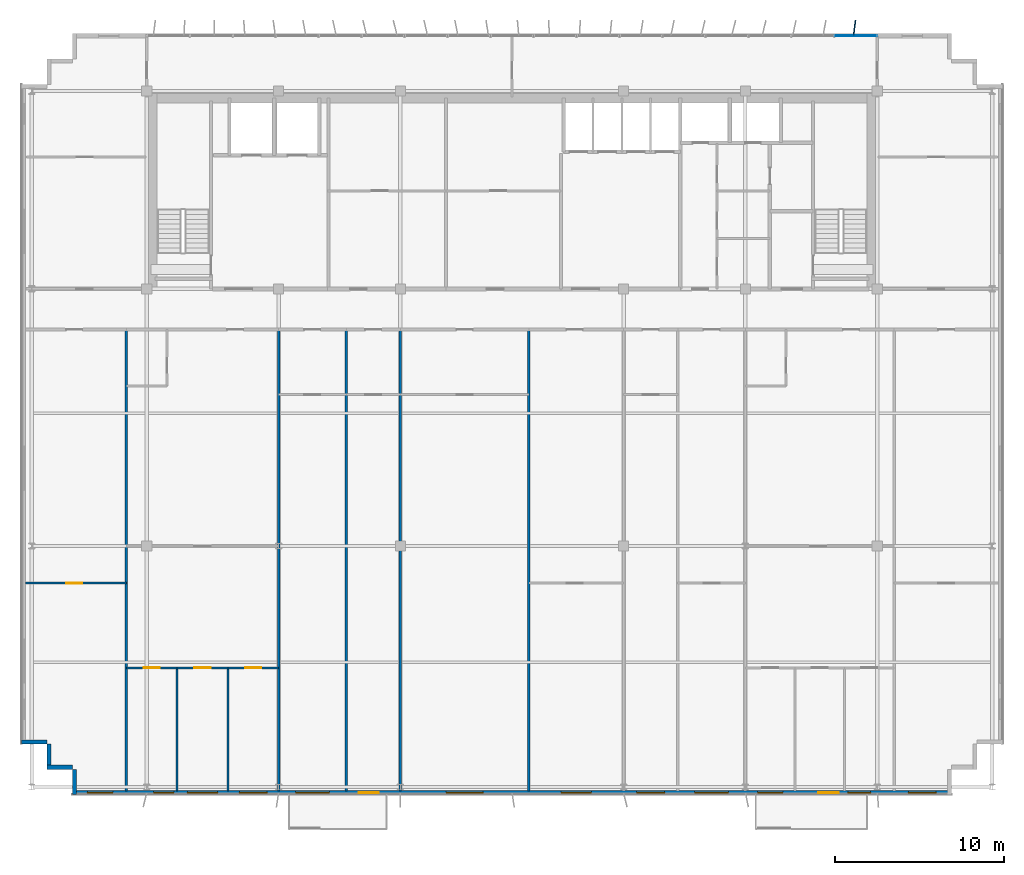
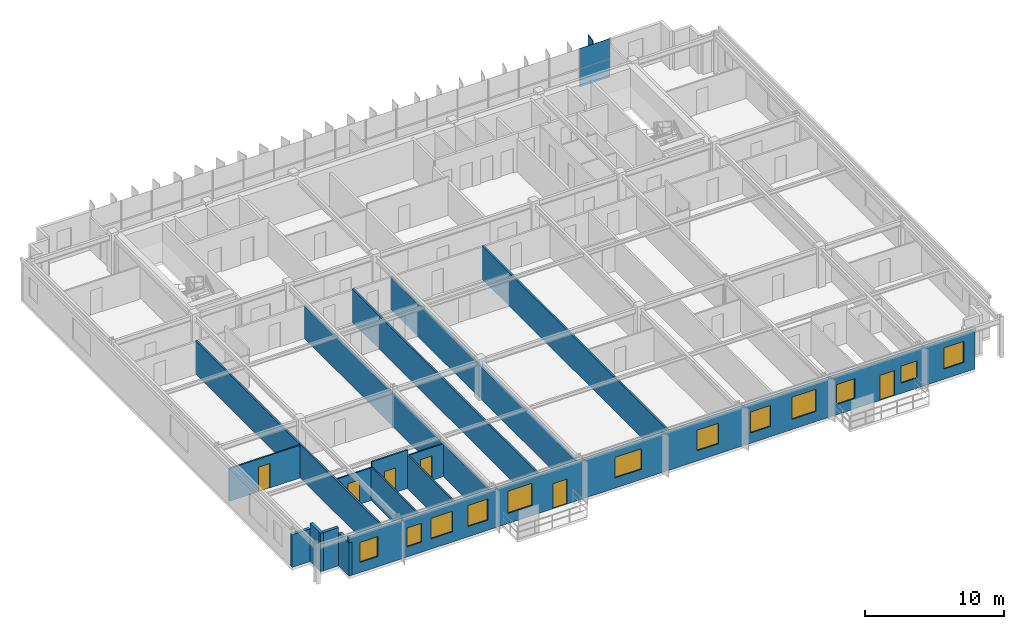
# One storey, part 16 of 22: 16 walls, 12 windows, 6 doors, 3 plates, 18 openings, 1 element without a shape of its own.
"""IFC4 building model written with IfcOpenShell, lengths in metres."""

from ifc_helpers import new_model, si_unit, direction, frame, frame_2d, origin, origin_2d, place, context, subcontext, project, spatial, rectangle, extrude, source, transform, mapped, material, layer, layer_set, type_object, element, fill, aggregate, save


model = new_model("IFC4")

# Units and contexts
model_context = context("Model", 3, precision=1e-05, world=origin(), true_north=direction((0.0, 1.0)))
body_context = subcontext(model_context, "Body", "Model", "MODEL_VIEW")
ifc_project = project(units=[si_unit("LENGTHUNIT", "METRE"), si_unit("AREAUNIT", "SQUARE_METRE"), si_unit("VOLUMEUNIT", "CUBIC_METRE"), si_unit("PLANEANGLEUNIT", "RADIAN"), si_unit("MASSUNIT", "GRAM", prefix="KILO")], contexts=[model_context])

# Site, building, storey
site_placement = place(None, origin())
site = spatial("IfcSite", under=ifc_project, at=site_placement, CompositionType="ELEMENT")
building_placement = place(site_placement, origin())
building = spatial("IfcBuilding", under=site, at=building_placement, Name="Trelvane Seafront Commons", CompositionType="ELEMENT")
storey_placement = place(building_placement, frame((0.0, 0.0, 284.699951171875)))
storey = spatial("IfcBuildingStorey", under=building, at=storey_placement, Name="L74", CompositionType="ELEMENT", Elevation=284.699951171875)

# Plate
ifc_material_1 = material(Name="Anodised pale-silver aluminium", Category="aluminium")
ifc_layer_1 = layer(ifc_material_1, 0.06005859375, Name="ARCH-PLATE-FIN900")
ifc_layer_set_1 = layer_set([ifc_layer_1], Name="Anodised pale-silver aluminium")
plate_type_1 = type_object("IfcPlateType", Name="ARCH-PLATE-FIN900", PredefinedType="USERDEFINED", material=ifc_layer_set_1)
shared_shape_1 = source(origin(), body_context, "Body", "SweptSolid", [
    extrude(rectangle(XDim=0.89990234375, YDim=0.06005859375, at=origin_2d()), origin(), (0.0, 0.0, 1.0), 3.639892578125),
])
plate_1_placement = place(storey_placement, frame((57.455078125, 48.8466796875, -0.02001953125), z_axis=(0.0, 0.0, 1.0), x_axis=(0.122777027905, 0.992434280655, 0.0)))
element("IfcPlate", 1, at=plate_1_placement, inside=storey, type_object=plate_type_1, Name="FIN-L74-02089", ObjectType="FIN", PredefinedType="USERDEFINED", context=body_context, shape_type="MappedRepresentation", body=[
    mapped(shared_shape_1, transform((0.0, 0.0, 0.0), x_axis=(1.0, 0.0, 0.0), y_axis=(0.0, 1.0, 0.0), z_axis=(0.0, 0.0, 1.0), scale=1.0)),
])

# Curtain wall, plates
curtain_wall_type = type_object("IfcCurtainWallType", Name="ARCH-CW5-UPTOWER", PredefinedType="NOTDEFINED", material=ifc_material_1)
curtain_wall_placement = place(storey_placement, origin())
curtain_wall = element("IfcCurtainWall", 2, at=curtain_wall_placement, inside=storey, type_object=curtain_wall_type, Name="CW-L74-0118", PredefinedType="NOTDEFINED")
ifc_material_2 = material(Name="Low-E coastal double glazing", Category="glass")
ifc_layer_2 = layer(ifc_material_2, 0.033935546875, Name="ARCH-CW-GLAZ-34")
ifc_layer_set_2 = layer_set([ifc_layer_2], Name="Low-E coastal double glazing")
plate_type_2 = type_object("IfcPlateType", Name="ARCH-CW-GLAZ-34", PredefinedType="CURTAIN_PANEL", material=ifc_layer_set_2)
shared_shape_2 = source(origin(), body_context, "Body", "SweptSolid", [
    extrude(rectangle(XDim=2.51708984375, YDim=0.033935546875, at=origin_2d()), origin(), (0.0, 0.0, 1.0), 1.60009765625),
])
plate_2_placement = place(storey_placement, frame((57.529296875, 48.3701171875, 0.0), z_axis=(0.0, 0.0, 1.0), x_axis=(1.0, 0.0, 0.0)))
plate_2 = element("IfcPlate", 3, at=plate_2_placement, type_object=plate_type_2, Name="CW-L74-0118-P16-1", PredefinedType="CURTAIN_PANEL", context=body_context, shape_type="MappedRepresentation", body=[
    mapped(shared_shape_2, transform((0.0, 0.0, 0.0), x_axis=(1.0, 0.0, 0.0), y_axis=(0.0, 1.0, 0.0), z_axis=(0.0, 0.0, 1.0), scale=1.0)),
])
shared_shape_3 = source(origin(), body_context, "Body", "SweptSolid", [
    extrude(rectangle(XDim=2.51708984375, YDim=0.033935546875, at=origin_2d()), origin(), (0.0, 0.0, 1.0), 1.73388671875),
])
plate_3_placement = place(storey_placement, frame((57.529296875, 48.3701171875, 1.635986328125), z_axis=(0.0, 0.0, 1.0), x_axis=(1.0, 0.0, 0.0)))
plate_3 = element("IfcPlate", 4, at=plate_3_placement, type_object=plate_type_2, Name="CW-L74-0118-P16-2", PredefinedType="CURTAIN_PANEL", context=body_context, shape_type="MappedRepresentation", body=[
    mapped(shared_shape_3, transform((0.0, 0.0, 0.0), x_axis=(1.0, 0.0, 0.0), y_axis=(0.0, 1.0, 0.0), z_axis=(0.0, 0.0, 1.0), scale=1.0)),
])
aggregate(curtain_wall, [plate_2, plate_3])

# Walls
ifc_material_3 = material(Name="Precast concrete C40/50", Category="concrete")
ifc_layer_3 = layer(ifc_material_3, 0.239990234375, Name="ARCH-WALL-EXT240")
ifc_layer_set_3 = layer_set([ifc_layer_3], Name="Precast concrete C40/50")
wall_type_1 = type_object("IfcWallType", Name="ARCH-WALL-EXT240", PredefinedType="SOLIDWALL", material=ifc_layer_set_3)
for number, where, z_axis, x_axis, name in (
    (5, (11.199951171875, 5.1201171875, 0.0), (0.0, 0.0, 1.0), (-1.0, 0.0, 0.0), "EW-L74-01489"),
    (6, (9.820068359375, 5.0, 0.0), (0.0, 0.0, 1.0), (0.0, 1.0, 0.0), "EW-L74-01490"),
):
    element("IfcWall", number, at=place(storey_placement, frame(where, z_axis=z_axis, x_axis=x_axis)), inside=storey, type_object=wall_type_1, Name=name, PredefinedType="SOLIDWALL", context=body_context, shape_type="SweptSolid", body=[
        extrude(rectangle(XDim=1.5, YDim=0.239990234375, at=frame_2d((0.75, 0.0))), origin(), (0.0, 0.0, 1.0), 3.3701171875),
    ])
wall_1_placement = place(storey_placement, frame((9.699951171875, 6.6201171875, 0.0), z_axis=(0.0, 0.0, 1.0), x_axis=(-1.0, 0.0, 0.0)))
element("IfcWall", 7, at=wall_1_placement, inside=storey, type_object=wall_type_1, Name="EW-L74-01491", PredefinedType="SOLIDWALL", context=body_context, shape_type="SweptSolid", body=[
    extrude(rectangle(XDim=1.5, YDim=0.239990234375, at=frame_2d((0.75, 0.0))), origin(), (0.0, 0.0, 1.0), 2.8701171875),
])

# Wall, openings, windows, doors
wall_2_placement = place(storey_placement, frame((63.199951171875, 3.6201171875, 0.0), z_axis=(0.0, 0.0, 1.0), x_axis=(-1.0, 0.0, 0.0)))
wall_2 = element("IfcWall", 8, at=wall_2_placement, inside=storey, type_object=wall_type_1, Name="EW-L74-01506", PredefinedType="SOLIDWALL", context=body_context, shape_type="SweptSolid", body=[
    extrude(rectangle(XDim=52.0, YDim=0.239990234375, at=frame_2d((26.0, 0.0))), origin(), (0.0, 0.0, 1.0), 3.3701171875),
])
opening_1_placement = place(wall_2_placement, frame((0.919921875, 0.0, 0.89990234375)))
opening_1 = element("IfcOpeningElement", 9, at=opening_1_placement, cuts=wall_2, Name="Opening W07", PredefinedType="OPENING", context=body_context, shape_type="SweptSolid", body=[
    extrude(rectangle(XDim=1.64990234375, YDim=1.85009765625, at=frame_2d((0.824951171875, 0.925048828125))), frame((0.0, 0.1298828125, 0.0), z_axis=(0.0, -1.0, 0.0), x_axis=(1.0, 0.0, 0.0)), (0.0, 0.0, 1.0), 0.260009765625),
])
opening_2_placement = place(wall_2_placement, frame((4.79296875, 0.0, 0.89990234375)))
opening_2 = element("IfcOpeningElement", 10, at=opening_2_placement, cuts=wall_2, Name="Opening W09", PredefinedType="OPENING", context=body_context, shape_type="SweptSolid", body=[
    extrude(rectangle(XDim=1.35009765625, YDim=1.5, at=frame_2d((0.675048828125, 0.75))), frame((0.0, 0.1298828125, 0.0), z_axis=(0.0, -1.0, 0.0), x_axis=(1.0, 0.0, 0.0)), (0.0, 0.0, 1.0), 0.260009765625),
])
opening_3_placement = place(wall_2_placement, frame((6.68505859375, 0.0, 0.0)))
opening_3 = element("IfcOpeningElement", 11, at=opening_3_placement, cuts=wall_2, Name="Opening BD-L74-150", PredefinedType="OPENING", context=body_context, shape_type="SweptSolid", body=[
    extrude(rectangle(XDim=1.199951171875, YDim=2.199951171875, at=frame_2d((0.60009765625, 1.10009765625))), frame((0.0, 0.1298828125, 0.0), z_axis=(0.0, -1.0, 0.0), x_axis=(1.0, 0.0, 0.0)), (0.0, 0.0, 1.0), 0.260009765625),
])
opening_4_placement = place(wall_2_placement, frame((9.98291015625, 0.0, 0.89990234375)))
opening_4 = element("IfcOpeningElement", 12, at=opening_4_placement, cuts=wall_2, Name="Opening W03", PredefinedType="OPENING", context=body_context, shape_type="SweptSolid", body=[
    extrude(rectangle(XDim=1.5, YDim=1.75, at=frame_2d((0.75, 0.875))), frame((0.0, 0.1298828125, 0.0), z_axis=(0.0, -1.0, 0.0), x_axis=(1.0, 0.0, 0.0)), (0.0, 0.0, 1.0), 0.260009765625),
])
opening_5_placement = place(wall_2_placement, frame((13.199951171875, 0.0, 0.89990234375)))
opening_5 = element("IfcOpeningElement", 13, at=opening_5_placement, cuts=wall_2, Name="Opening W06", PredefinedType="OPENING", context=body_context, shape_type="SweptSolid", body=[
    extrude(rectangle(XDim=2.0, YDim=1.949951171875, at=frame_2d((1.0, 0.97509765625))), frame((0.0, 0.1298828125, 0.0), z_axis=(0.0, -1.0, 0.0), x_axis=(1.0, 0.0, 0.0)), (0.0, 0.0, 1.0), 0.260009765625),
])
opening_6_placement = place(wall_2_placement, frame((16.97509765625, 0.0, 0.89990234375)))
opening_6 = element("IfcOpeningElement", 14, at=opening_6_placement, cuts=wall_2, Name="Opening W07", PredefinedType="OPENING", context=body_context, shape_type="SweptSolid", body=[
    extrude(rectangle(XDim=1.64990234375, YDim=1.85009765625, at=frame_2d((0.824951171875, 0.925048828125))), frame((0.0, 0.1298828125, 0.0), z_axis=(0.0, -1.0, 0.0), x_axis=(1.0, 0.0, 0.0)), (0.0, 0.0, 1.0), 0.260009765625),
])
opening_7_placement = place(wall_2_placement, frame((21.300048828125, 0.0, 0.89990234375)))
opening_7 = element("IfcOpeningElement", 15, at=opening_7_placement, cuts=wall_2, Name="Opening W01", PredefinedType="OPENING", context=body_context, shape_type="SweptSolid", body=[
    extrude(rectangle(XDim=1.800048828125, YDim=1.800048828125, at=frame_2d((0.89990234375, 0.89990234375))), frame((0.0, 0.1298828125, 0.0), z_axis=(0.0, -1.0, 0.0), x_axis=(1.0, 0.0, 0.0)), (0.0, 0.0, 1.0), 0.260009765625),
])
opening_8_placement = place(wall_2_placement, frame((27.699951171875, 0.0, 0.89990234375)))
opening_8 = element("IfcOpeningElement", 16, at=opening_8_placement, cuts=wall_2, Name="Opening W02", PredefinedType="OPENING", context=body_context, shape_type="SweptSolid", body=[
    extrude(rectangle(XDim=2.199951171875, YDim=1.800048828125, at=frame_2d((1.10009765625, 0.89990234375))), frame((0.0, 0.1298828125, 0.0), z_axis=(0.0, -1.0, 0.0), x_axis=(1.0, 0.0, 0.0)), (0.0, 0.0, 1.0), 0.260009765625),
])
opening_9_placement = place(wall_2_placement, frame((33.873046875, 0.0, 0.0)))
opening_9 = element("IfcOpeningElement", 17, at=opening_9_placement, cuts=wall_2, Name="Opening BD-L74-151", PredefinedType="OPENING", context=body_context, shape_type="SweptSolid", body=[
    extrude(rectangle(XDim=1.199951171875, YDim=2.199951171875, at=frame_2d((0.60009765625, 1.10009765625))), frame((0.0, 0.1298828125, 0.0), z_axis=(0.0, -1.0, 0.0), x_axis=(1.0, 0.0, 0.0)), (0.0, 0.0, 1.0), 0.260009765625),
])
opening_10_placement = place(wall_2_placement, frame((36.800048828125, 0.0, 0.89990234375)))
opening_10 = element("IfcOpeningElement", 18, at=opening_10_placement, cuts=wall_2, Name="Opening W06", PredefinedType="OPENING", context=body_context, shape_type="SweptSolid", body=[
    extrude(rectangle(XDim=2.0, YDim=1.949951171875, at=frame_2d((1.0, 0.97509765625))), frame((0.0, 0.1298828125, 0.0), z_axis=(0.0, -1.0, 0.0), x_axis=(1.0, 0.0, 0.0)), (0.0, 0.0, 1.0), 0.260009765625),
])
opening_11_placement = place(wall_2_placement, frame((40.47509765625, 0.0, 0.89990234375)))
opening_11 = element("IfcOpeningElement", 19, at=opening_11_placement, cuts=wall_2, Name="Opening W07", PredefinedType="OPENING", context=body_context, shape_type="SweptSolid", body=[
    extrude(rectangle(XDim=1.64990234375, YDim=1.85009765625, at=frame_2d((0.824951171875, 0.925048828125))), frame((0.0, 0.1298828125, 0.0), z_axis=(0.0, -1.0, 0.0), x_axis=(1.0, 0.0, 0.0)), (0.0, 0.0, 1.0), 0.260009765625),
])
opening_12_placement = place(wall_2_placement, frame((43.39990234375, 0.0, 0.89990234375)))
opening_12 = element("IfcOpeningElement", 20, at=opening_12_placement, cuts=wall_2, Name="Opening W01", PredefinedType="OPENING", context=body_context, shape_type="SweptSolid", body=[
    extrude(rectangle(XDim=1.800048828125, YDim=1.800048828125, at=frame_2d((0.89990234375, 0.89990234375))), frame((0.0, 0.1298828125, 0.0), z_axis=(0.0, -1.0, 0.0), x_axis=(1.0, 0.0, 0.0)), (0.0, 0.0, 1.0), 0.260009765625),
])
opening_13_placement = place(wall_2_placement, frame((45.989990234375, 0.0, 0.89990234375)))
opening_13 = element("IfcOpeningElement", 21, at=opening_13_placement, cuts=wall_2, Name="Opening W05", PredefinedType="OPENING", context=body_context, shape_type="SweptSolid", body=[
    extrude(rectangle(XDim=1.199951171875, YDim=1.64990234375, at=frame_2d((0.60009765625, 0.824951171875))), frame((0.0, 0.1298828125, 0.0), z_axis=(0.0, -1.0, 0.0), x_axis=(1.0, 0.0, 0.0)), (0.0, 0.0, 1.0), 0.260009765625),
])
opening_14_placement = place(wall_2_placement, frame((49.60498046875, 0.0, 0.89990234375)))
opening_14 = element("IfcOpeningElement", 22, at=opening_14_placement, cuts=wall_2, Name="Opening W03", PredefinedType="OPENING", context=body_context, shape_type="SweptSolid", body=[
    extrude(rectangle(XDim=1.5, YDim=1.75, at=frame_2d((0.75, 0.875))), frame((0.0, 0.1298828125, 0.0), z_axis=(0.0, -1.0, 0.0), x_axis=(1.0, 0.0, 0.0)), (0.0, 0.0, 1.0), 0.260009765625),
])
window_type_1 = type_object("IfcWindowType", Name="ARCH-WIN-W09", PartitioningType="SINGLE_PANEL", PredefinedType="WINDOW", material=ifc_material_2)
shared_shape_4 = source(origin(), body_context, "Body", "SweptSolid", [
    extrude(rectangle(XDim=1.35009765625, YDim=1.5, at=frame_2d((0.675048828125, 0.75))), frame((0.0, 0.030029296875, 0.0), z_axis=(0.0, -1.0, 0.0), x_axis=(1.0, 0.0, 0.0)), (0.0, 0.0, 1.0), 0.06005859375),
])
window_1_placement = place(opening_2_placement, origin())
window_1 = element("IfcWindow", 23, at=window_1_placement, inside=storey, type_object=window_type_1, Name="WIN-L74-01784", OverallHeight=1.5, OverallWidth=1.35009765625, PartitioningType="SINGLE_PANEL", PredefinedType="WINDOW", context=body_context, shape_type="MappedRepresentation", body=[
    mapped(shared_shape_4, transform((0.0, 0.0, 0.0), x_axis=(1.0, 0.0, 0.0), y_axis=(0.0, 1.0, 0.0), z_axis=(0.0, 0.0, 1.0), scale=1.0)),
])
fill(opening_2, window_1)
window_type_2 = type_object("IfcWindowType", Name="ARCH-WIN-W05", PartitioningType="SINGLE_PANEL", PredefinedType="WINDOW", material=ifc_material_2)
shared_shape_5 = source(origin(), body_context, "Body", "SweptSolid", [
    extrude(rectangle(XDim=1.199951171875, YDim=1.64990234375, at=frame_2d((0.60009765625, 0.824951171875))), frame((0.0, 0.030029296875, 0.0), z_axis=(0.0, -1.0, 0.0), x_axis=(1.0, 0.0, 0.0)), (0.0, 0.0, 1.0), 0.06005859375),
])
window_2_placement = place(opening_13_placement, origin())
window_2 = element("IfcWindow", 24, at=window_2_placement, inside=storey, type_object=window_type_2, Name="WIN-L74-01793", OverallHeight=1.64990234375, OverallWidth=1.199951171875, PartitioningType="SINGLE_PANEL", PredefinedType="WINDOW", context=body_context, shape_type="MappedRepresentation", body=[
    mapped(shared_shape_5, transform((0.0, 0.0, 0.0), x_axis=(1.0, 0.0, 0.0), y_axis=(0.0, 1.0, 0.0), z_axis=(0.0, 0.0, 1.0), scale=1.0)),
])
fill(opening_13, window_2)
ifc_material_4 = material(Name="Powder-coated aluminium frame", Category="aluminium")
door_type_1 = type_object("IfcDoorType", Name="ARCH-DR-BAL1200", OperationType="NOTDEFINED", PredefinedType="DOOR", material=ifc_material_4)
shared_shape_6 = source(origin(), body_context, "Body", "SweptSolid", [
    extrude(rectangle(XDim=1.199951171875, YDim=2.199951171875, at=frame_2d((0.60009765625, 1.10009765625))), frame((0.0, 0.02490234375, 0.0), z_axis=(0.0, -1.0, 0.0), x_axis=(1.0, 0.0, 0.0)), (0.0, 0.0, 1.0), 0.050048828125),
])
door_1_placement = place(opening_3_placement, origin())
door_1 = element("IfcDoor", 25, at=door_1_placement, inside=storey, type_object=door_type_1, Name="L74 Balcony Terrace Access Door", OperationType="SINGLE_SWING_LEFT", OverallHeight=2.199951171875, OverallWidth=1.199951171875, PredefinedType="DOOR", context=body_context, shape_type="MappedRepresentation", body=[
    mapped(shared_shape_6, transform((0.0, 0.0, 0.0), x_axis=(1.0, 0.0, 0.0), y_axis=(0.0, 1.0, 0.0), z_axis=(0.0, 0.0, 1.0), scale=1.0)),
])
fill(opening_3, door_1)
door_2_placement = place(opening_9_placement, origin())
door_2 = element("IfcDoor", 26, at=door_2_placement, inside=storey, type_object=door_type_1, Name="L74 Balcony Terrace Access Door", OperationType="SINGLE_SWING_LEFT", OverallHeight=2.199951171875, OverallWidth=1.199951171875, PredefinedType="DOOR", context=body_context, shape_type="MappedRepresentation", body=[
    mapped(shared_shape_6, transform((0.0, 0.0, 0.0), x_axis=(1.0, 0.0, 0.0), y_axis=(0.0, 1.0, 0.0), z_axis=(0.0, 0.0, 1.0), scale=1.0)),
])
fill(opening_9, door_2)
window_type_3 = type_object("IfcWindowType", Name="ARCH-WIN-W02", PartitioningType="SINGLE_PANEL", PredefinedType="WINDOW", material=ifc_material_2)
shared_shape_7 = source(origin(), body_context, "Body", "SweptSolid", [
    extrude(rectangle(XDim=2.199951171875, YDim=1.800048828125, at=frame_2d((1.10009765625, 0.89990234375))), frame((0.0, 0.030029296875, 0.0), z_axis=(0.0, -1.0, 0.0), x_axis=(1.0, 0.0, 0.0)), (0.0, 0.0, 1.0), 0.06005859375),
])
window_3_placement = place(opening_8_placement, origin())
window_3 = element("IfcWindow", 27, at=window_3_placement, inside=storey, type_object=window_type_3, Name="WIN-L74-01789", OverallHeight=1.800048828125, OverallWidth=2.199951171875, PartitioningType="SINGLE_PANEL", PredefinedType="WINDOW", context=body_context, shape_type="MappedRepresentation", body=[
    mapped(shared_shape_7, transform((0.0, 0.0, 0.0), x_axis=(1.0, 0.0, 0.0), y_axis=(0.0, 1.0, 0.0), z_axis=(0.0, 0.0, 1.0), scale=1.0)),
])
fill(opening_8, window_3)
window_type_4 = type_object("IfcWindowType", Name="ARCH-WIN-W03", PartitioningType="SINGLE_PANEL", PredefinedType="WINDOW", material=ifc_material_2)
shared_shape_8 = source(origin(), body_context, "Body", "SweptSolid", [
    extrude(rectangle(XDim=1.5, YDim=1.75, at=frame_2d((0.75, 0.875))), frame((0.0, 0.030029296875, 0.0), z_axis=(0.0, -1.0, 0.0), x_axis=(1.0, 0.0, 0.0)), (0.0, 0.0, 1.0), 0.06005859375),
])
window_4_placement = place(opening_4_placement, origin())
window_4 = element("IfcWindow", 28, at=window_4_placement, inside=storey, type_object=window_type_4, Name="WIN-L74-01785", OverallHeight=1.75, OverallWidth=1.5, PartitioningType="SINGLE_PANEL", PredefinedType="WINDOW", context=body_context, shape_type="MappedRepresentation", body=[
    mapped(shared_shape_8, transform((0.0, 0.0, 0.0), x_axis=(1.0, 0.0, 0.0), y_axis=(0.0, 1.0, 0.0), z_axis=(0.0, 0.0, 1.0), scale=1.0)),
])
fill(opening_4, window_4)
window_5_placement = place(opening_14_placement, origin())
window_5 = element("IfcWindow", 29, at=window_5_placement, inside=storey, type_object=window_type_4, Name="WIN-L74-01794", OverallHeight=1.75, OverallWidth=1.5, PartitioningType="SINGLE_PANEL", PredefinedType="WINDOW", context=body_context, shape_type="MappedRepresentation", body=[
    mapped(shared_shape_8, transform((0.0, 0.0, 0.0), x_axis=(1.0, 0.0, 0.0), y_axis=(0.0, 1.0, 0.0), z_axis=(0.0, 0.0, 1.0), scale=1.0)),
])
fill(opening_14, window_5)
window_type_5 = type_object("IfcWindowType", Name="ARCH-WIN-W06", PartitioningType="SINGLE_PANEL", PredefinedType="WINDOW", material=ifc_material_2)
shared_shape_9 = source(origin(), body_context, "Body", "SweptSolid", [
    extrude(rectangle(XDim=2.0, YDim=1.949951171875, at=frame_2d((1.0, 0.97509765625))), frame((0.0, 0.030029296875, 0.0), z_axis=(0.0, -1.0, 0.0), x_axis=(1.0, 0.0, 0.0)), (0.0, 0.0, 1.0), 0.06005859375),
])
window_6_placement = place(opening_5_placement, origin())
window_6 = element("IfcWindow", 30, at=window_6_placement, inside=storey, type_object=window_type_5, Name="WIN-L74-01786", OverallHeight=1.949951171875, OverallWidth=2.0, PartitioningType="SINGLE_PANEL", PredefinedType="WINDOW", context=body_context, shape_type="MappedRepresentation", body=[
    mapped(shared_shape_9, transform((0.0, 0.0, 0.0), x_axis=(1.0, 0.0, 0.0), y_axis=(0.0, 1.0, 0.0), z_axis=(0.0, 0.0, 1.0), scale=1.0)),
])
fill(opening_5, window_6)
window_7_placement = place(opening_10_placement, origin())
window_7 = element("IfcWindow", 31, at=window_7_placement, inside=storey, type_object=window_type_5, Name="WIN-L74-01790", OverallHeight=1.949951171875, OverallWidth=2.0, PartitioningType="SINGLE_PANEL", PredefinedType="WINDOW", context=body_context, shape_type="MappedRepresentation", body=[
    mapped(shared_shape_9, transform((0.0, 0.0, 0.0), x_axis=(1.0, 0.0, 0.0), y_axis=(0.0, 1.0, 0.0), z_axis=(0.0, 0.0, 1.0), scale=1.0)),
])
fill(opening_10, window_7)
window_type_6 = type_object("IfcWindowType", Name="ARCH-WIN-W01", PartitioningType="SINGLE_PANEL", PredefinedType="WINDOW", material=ifc_material_2)
shared_shape_10 = source(origin(), body_context, "Body", "SweptSolid", [
    extrude(rectangle(XDim=1.800048828125, YDim=1.800048828125, at=frame_2d((0.89990234375, 0.89990234375))), frame((0.0, 0.030029296875, 0.0), z_axis=(0.0, -1.0, 0.0), x_axis=(1.0, 0.0, 0.0)), (0.0, 0.0, 1.0), 0.06005859375),
])
window_8_placement = place(opening_7_placement, origin())
window_8 = element("IfcWindow", 32, at=window_8_placement, inside=storey, type_object=window_type_6, Name="WIN-L74-01788", OverallHeight=1.800048828125, OverallWidth=1.800048828125, PartitioningType="SINGLE_PANEL", PredefinedType="WINDOW", context=body_context, shape_type="MappedRepresentation", body=[
    mapped(shared_shape_10, transform((0.0, 0.0, 0.0), x_axis=(1.0, 0.0, 0.0), y_axis=(0.0, 1.0, 0.0), z_axis=(0.0, 0.0, 1.0), scale=1.0)),
])
fill(opening_7, window_8)
window_9_placement = place(opening_12_placement, origin())
window_9 = element("IfcWindow", 33, at=window_9_placement, inside=storey, type_object=window_type_6, Name="WIN-L74-01792", OverallHeight=1.800048828125, OverallWidth=1.800048828125, PartitioningType="SINGLE_PANEL", PredefinedType="WINDOW", context=body_context, shape_type="MappedRepresentation", body=[
    mapped(shared_shape_10, transform((0.0, 0.0, 0.0), x_axis=(1.0, 0.0, 0.0), y_axis=(0.0, 1.0, 0.0), z_axis=(0.0, 0.0, 1.0), scale=1.0)),
])
fill(opening_12, window_9)
window_type_7 = type_object("IfcWindowType", Name="ARCH-WIN-W07", PartitioningType="SINGLE_PANEL", PredefinedType="WINDOW", material=ifc_material_2)
shared_shape_11 = source(origin(), body_context, "Body", "SweptSolid", [
    extrude(rectangle(XDim=1.64990234375, YDim=1.85009765625, at=frame_2d((0.824951171875, 0.925048828125))), frame((0.0, 0.030029296875, 0.0), z_axis=(0.0, -1.0, 0.0), x_axis=(1.0, 0.0, 0.0)), (0.0, 0.0, 1.0), 0.06005859375),
])
window_10_placement = place(opening_1_placement, origin())
window_10 = element("IfcWindow", 34, at=window_10_placement, inside=storey, type_object=window_type_7, Name="WIN-L74-01783", OverallHeight=1.85009765625, OverallWidth=1.64990234375, PartitioningType="SINGLE_PANEL", PredefinedType="WINDOW", context=body_context, shape_type="MappedRepresentation", body=[
    mapped(shared_shape_11, transform((0.0, 0.0, 0.0), x_axis=(1.0, 0.0, 0.0), y_axis=(0.0, 1.0, 0.0), z_axis=(0.0, 0.0, 1.0), scale=1.0)),
])
fill(opening_1, window_10)
window_11_placement = place(opening_6_placement, origin())
window_11 = element("IfcWindow", 35, at=window_11_placement, inside=storey, type_object=window_type_7, Name="WIN-L74-01787", OverallHeight=1.85009765625, OverallWidth=1.64990234375, PartitioningType="SINGLE_PANEL", PredefinedType="WINDOW", context=body_context, shape_type="MappedRepresentation", body=[
    mapped(shared_shape_11, transform((0.0, 0.0, 0.0), x_axis=(1.0, 0.0, 0.0), y_axis=(0.0, 1.0, 0.0), z_axis=(0.0, 0.0, 1.0), scale=1.0)),
])
fill(opening_6, window_11)
window_12_placement = place(opening_11_placement, origin())
window_12 = element("IfcWindow", 36, at=window_12_placement, inside=storey, type_object=window_type_7, Name="WIN-L74-01791", OverallHeight=1.85009765625, OverallWidth=1.64990234375, PartitioningType="SINGLE_PANEL", PredefinedType="WINDOW", context=body_context, shape_type="MappedRepresentation", body=[
    mapped(shared_shape_11, transform((0.0, 0.0, 0.0), x_axis=(1.0, 0.0, 0.0), y_axis=(0.0, 1.0, 0.0), z_axis=(0.0, 0.0, 1.0), scale=1.0)),
])
fill(opening_11, window_12)

# Wall
wall_3_placement = place(storey_placement, frame((11.320068359375, 3.5, 0.0), z_axis=(0.0, 0.0, 1.0), x_axis=(0.0, 1.0, 0.0)))
element("IfcWall", 37, at=wall_3_placement, inside=storey, type_object=wall_type_1, Name="EW-L74-01507", PredefinedType="SOLIDWALL", context=body_context, shape_type="SweptSolid", body=[
    extrude(rectangle(XDim=1.5, YDim=0.239990234375, at=frame_2d((0.75, 0.0))), origin(), (0.0, 0.0, 1.0), 2.920166015625),
])

# Wall, opening, door
ifc_material_5 = material(Name="Gypsum Drywall Acoustic Partition")
ifc_layer_4 = layer(ifc_material_5, 0.1201171875, Name="ARCH-WALL-PART120")
ifc_layer_set_4 = layer_set([ifc_layer_4], Name="Gypsum Drywall Acoustic Partition")
wall_type_2 = type_object("IfcWallType", Name="ARCH-WALL-PART120", PredefinedType="PARTITIONING", material=ifc_layer_set_4)
wall_4_placement = place(storey_placement, frame((8.425048828125, 16.0, 0.0), z_axis=(0.0, 0.0, 1.0), x_axis=(1.0, 0.0, 0.0)))
wall_4 = element("IfcWall", 38, at=wall_4_placement, inside=storey, type_object=wall_type_2, Name="W-L74-U1-DIV-053", PredefinedType="PARTITIONING", context=body_context, shape_type="SweptSolid", body=[
    extrude(rectangle(XDim=5.974853515625, YDim=0.1201171875, at=frame_2d((2.9873046875, 0.0))), origin(), (0.0, 0.0, 1.0), 2.8701171875),
])
opening_15_placement = place(wall_4_placement, frame((2.419921875, 0.0, 0.0)))
opening_15 = element("IfcOpeningElement", 39, at=opening_15_placement, cuts=wall_4, Name="Opening D-L74-31", PredefinedType="OPENING", context=body_context, shape_type="SweptSolid", body=[
    extrude(rectangle(XDim=0.949951171875, YDim=2.14990234375, at=frame_2d((0.47509765625, 1.074951171875))), frame((0.0, 0.070068359375, 0.0), z_axis=(0.0, -1.0, 0.0), x_axis=(1.0, 0.0, 0.0)), (0.0, 0.0, 1.0), 0.14013671875),
])
ifc_material_6 = material(Name="Acoustic timber door leaf", Category="wood")
door_type_2 = type_object("IfcDoorType", Name="ARCH-DR-INT950", OperationType="NOTDEFINED", PredefinedType="DOOR", material=ifc_material_6)
shared_shape_12 = source(origin(), body_context, "Body", "SweptSolid", [
    extrude(rectangle(XDim=0.949951171875, YDim=2.14990234375, at=frame_2d((0.47509765625, 1.074951171875))), frame((0.0, 0.02490234375, 0.0), z_axis=(0.0, -1.0, 0.0), x_axis=(1.0, 0.0, 0.0)), (0.0, 0.0, 1.0), 0.050048828125),
])
door_3_placement = place(opening_15_placement, origin())
door_3 = element("IfcDoor", 40, at=door_3_placement, inside=storey, type_object=door_type_2, Name="L74 Door 31", OperationType="SINGLE_SWING_LEFT", OverallHeight=2.14990234375, OverallWidth=0.949951171875, PredefinedType="DOOR", context=body_context, shape_type="MappedRepresentation", body=[
    mapped(shared_shape_12, transform((0.0, 0.0, 0.0), x_axis=(1.0, 0.0, 0.0), y_axis=(0.0, 1.0, 0.0), z_axis=(0.0, 0.0, 1.0), scale=1.0)),
])
fill(opening_15, door_3)

wall_5_placement = place(storey_placement, frame((14.39990234375, 11.0, 0.0), z_axis=(0.0, 0.0, 1.0), x_axis=(1.0, 0.0, 0.0)))
wall_5 = element("IfcWall", 41, at=wall_5_placement, inside=storey, type_object=wall_type_2, Name="W-L74-U2-YM-1-058", PredefinedType="PARTITIONING", context=body_context, shape_type="SweptSolid", body=[
    extrude(rectangle(XDim=3.0, YDim=0.1201171875, at=frame_2d((1.5, 0.0))), origin(), (0.0, 0.0, 1.0), 2.8701171875),
])
opening_16_placement = place(wall_5_placement, frame((1.02490234375, 0.0, 0.0)))
opening_16 = element("IfcOpeningElement", 42, at=opening_16_placement, cuts=wall_5, Name="Opening D-L74-35", PredefinedType="OPENING", context=body_context, shape_type="SweptSolid", body=[
    extrude(rectangle(XDim=0.949951171875, YDim=2.14990234375, at=frame_2d((0.47509765625, 1.074951171875))), frame((0.0, 0.070068359375, 0.0), z_axis=(0.0, -1.0, 0.0), x_axis=(1.0, 0.0, 0.0)), (0.0, 0.0, 1.0), 0.14013671875),
])
door_4_placement = place(opening_16_placement, origin())
door_4 = element("IfcDoor", 43, at=door_4_placement, inside=storey, type_object=door_type_2, Name="L74 Door 35", OperationType="SINGLE_SWING_LEFT", OverallHeight=2.14990234375, OverallWidth=0.949951171875, PredefinedType="DOOR", context=body_context, shape_type="MappedRepresentation", body=[
    mapped(shared_shape_12, transform((0.0, 0.0, 0.0), x_axis=(1.0, 0.0, 0.0), y_axis=(0.0, 1.0, 0.0), z_axis=(0.0, 0.0, 1.0), scale=1.0)),
])
fill(opening_16, door_4)

wall_6_placement = place(storey_placement, frame((17.39990234375, 11.0, 0.0), z_axis=(0.0, 0.0, 1.0), x_axis=(1.0, 0.0, 0.0)))
wall_6 = element("IfcWall", 44, at=wall_6_placement, inside=storey, type_object=wall_type_2, Name="W-L74-U2-YM-2-059", PredefinedType="PARTITIONING", context=body_context, shape_type="SweptSolid", body=[
    extrude(rectangle(XDim=3.0, YDim=0.1201171875, at=frame_2d((1.5, 0.0))), origin(), (0.0, 0.0, 1.0), 3.3701171875),
])
opening_17_placement = place(wall_6_placement, frame((1.02490234375, 0.0, 0.0)))
opening_17 = element("IfcOpeningElement", 45, at=opening_17_placement, cuts=wall_6, Name="Opening D-L74-36", PredefinedType="OPENING", context=body_context, shape_type="SweptSolid", body=[
    extrude(rectangle(XDim=0.949951171875, YDim=2.14990234375, at=frame_2d((0.47509765625, 1.074951171875))), frame((0.0, 0.070068359375, 0.0), z_axis=(0.0, -1.0, 0.0), x_axis=(1.0, 0.0, 0.0)), (0.0, 0.0, 1.0), 0.14013671875),
])
door_5_placement = place(opening_17_placement, origin())
door_5 = element("IfcDoor", 46, at=door_5_placement, inside=storey, type_object=door_type_2, Name="L74 Door 36", OperationType="SINGLE_SWING_RIGHT", OverallHeight=2.14990234375, OverallWidth=0.949951171875, PredefinedType="DOOR", context=body_context, shape_type="MappedRepresentation", body=[
    mapped(shared_shape_12, transform((0.0, 0.0, 0.0), x_axis=(1.0, 0.0, 0.0), y_axis=(0.0, 1.0, 0.0), z_axis=(0.0, 0.0, 1.0), scale=1.0)),
])
fill(opening_17, door_5)

# Wall
wall_7_placement = place(storey_placement, frame((17.39990234375, 3.72509765625, 0.0), z_axis=(0.0, 0.0, 1.0), x_axis=(0.0, 1.0, 0.0)))
element("IfcWall", 47, at=wall_7_placement, inside=storey, type_object=wall_type_2, Name="W-L74-U2-BDV-1-060", PredefinedType="PARTITIONING", context=body_context, shape_type="SweptSolid", body=[
    extrude(rectangle(XDim=7.27490234375, YDim=0.1201171875, at=frame_2d((3.637451171875, 0.0))), origin(), (0.0, 0.0, 1.0), 2.920166015625),
])

# Wall, opening, door
wall_8_placement = place(storey_placement, frame((20.39990234375, 11.0, 0.0), z_axis=(0.0, 0.0, 1.0), x_axis=(1.0, 0.0, 0.0)))
wall_8 = element("IfcWall", 48, at=wall_8_placement, inside=storey, type_object=wall_type_2, Name="W-L74-U2-YM-3-061", PredefinedType="PARTITIONING", context=body_context, shape_type="SweptSolid", body=[
    extrude(rectangle(XDim=3.0, YDim=0.1201171875, at=frame_2d((1.5, 0.0))), origin(), (0.0, 0.0, 1.0), 2.8701171875),
])
opening_18_placement = place(wall_8_placement, frame((1.02490234375, 0.0, 0.0)))
opening_18 = element("IfcOpeningElement", 49, at=opening_18_placement, cuts=wall_8, Name="Opening D-L74-37", PredefinedType="OPENING", context=body_context, shape_type="SweptSolid", body=[
    extrude(rectangle(XDim=0.949951171875, YDim=2.14990234375, at=frame_2d((0.47509765625, 1.074951171875))), frame((0.0, 0.070068359375, 0.0), z_axis=(0.0, -1.0, 0.0), x_axis=(1.0, 0.0, 0.0)), (0.0, 0.0, 1.0), 0.14013671875),
])
door_6_placement = place(opening_18_placement, origin())
door_6 = element("IfcDoor", 50, at=door_6_placement, inside=storey, type_object=door_type_2, Name="L74 Door 37", OperationType="SINGLE_SWING_LEFT", OverallHeight=2.14990234375, OverallWidth=0.949951171875, PredefinedType="DOOR", context=body_context, shape_type="MappedRepresentation", body=[
    mapped(shared_shape_12, transform((0.0, 0.0, 0.0), x_axis=(1.0, 0.0, 0.0), y_axis=(0.0, 1.0, 0.0), z_axis=(0.0, 0.0, 1.0), scale=1.0)),
])
fill(opening_18, door_6)

# Walls
wall_9_placement = place(storey_placement, frame((20.39990234375, 3.72509765625, 0.0), z_axis=(0.0, 0.0, 1.0), x_axis=(0.0, 1.0, 0.0)))
element("IfcWall", 51, at=wall_9_placement, inside=storey, type_object=wall_type_2, Name="W-L74-U2-BDV-2-062", PredefinedType="PARTITIONING", context=body_context, shape_type="SweptSolid", body=[
    extrude(rectangle(XDim=7.27490234375, YDim=0.1201171875, at=frame_2d((3.637451171875, 0.0))), origin(), (0.0, 0.0, 1.0), 2.920166015625),
])
ifc_layer_5 = layer(ifc_material_5, 0.14990234375, Name="ARCH-WALL-PART150")
ifc_layer_set_5 = layer_set([ifc_layer_5], Name="Gypsum Drywall Acoustic Partition")
wall_type_3 = type_object("IfcWallType", Name="ARCH-WALL-PART150", PredefinedType="PARTITIONING", material=ifc_layer_set_5)
wall_10_placement = place(storey_placement, frame((14.39990234375, 3.72509765625, 0.0), z_axis=(0.0, 0.0, 1.0), x_axis=(0.0, 1.0, 0.0)))
element("IfcWall", 52, at=wall_10_placement, inside=storey, type_object=wall_type_3, Name="W-L74-PW-1-043", PredefinedType="PARTITIONING", context=body_context, shape_type="SweptSolid", body=[
    extrude(rectangle(XDim=27.27490234375, YDim=0.14990234375, at=frame_2d((13.637451171875, 0.0))), origin(), (0.0, 0.0, 1.0), 2.920166015625),
])
wall_11_placement = place(storey_placement, frame((23.39990234375, 3.72509765625, 0.0), z_axis=(0.0, 0.0, 1.0), x_axis=(0.0, 1.0, 0.0)))
element("IfcWall", 53, at=wall_11_placement, inside=storey, type_object=wall_type_3, Name="W-L74-PW-2-044", PredefinedType="PARTITIONING", context=body_context, shape_type="SweptSolid", body=[
    extrude(rectangle(XDim=27.27490234375, YDim=0.14990234375, at=frame_2d((13.637451171875, 0.0))), origin(), (0.0, 0.0, 1.0), 2.8701171875),
])
wall_12_placement = place(storey_placement, frame((27.39990234375, 3.72509765625, 0.0), z_axis=(0.0, 0.0, 1.0), x_axis=(0.0, 1.0, 0.0)))
element("IfcWall", 54, at=wall_12_placement, inside=storey, type_object=wall_type_3, Name="W-L74-PW-3-045", PredefinedType="PARTITIONING", context=body_context, shape_type="SweptSolid", body=[
    extrude(rectangle(XDim=27.27490234375, YDim=0.14990234375, at=frame_2d((13.637451171875, 0.0))), origin(), (0.0, 0.0, 1.0), 2.920166015625),
])
wall_13_placement = place(storey_placement, frame((30.60009765625, 3.72509765625, 0.0), z_axis=(0.0, 0.0, 1.0), x_axis=(0.0, 1.0, 0.0)))
element("IfcWall", 55, at=wall_13_placement, inside=storey, type_object=wall_type_3, Name="W-L74-PW-4-046", PredefinedType="PARTITIONING", context=body_context, shape_type="SweptSolid", body=[
    extrude(rectangle(XDim=27.27490234375, YDim=0.14990234375, at=frame_2d((13.637451171875, 0.0))), origin(), (0.0, 0.0, 1.0), 2.8701171875),
])
wall_14_placement = place(storey_placement, frame((38.199951171875, 3.72509765625, 0.0), z_axis=(0.0, 0.0, 1.0), x_axis=(0.0, 1.0, 0.0)))
element("IfcWall", 56, at=wall_14_placement, inside=storey, type_object=wall_type_3, Name="W-L74-PW-5-047", PredefinedType="PARTITIONING", context=body_context, shape_type="SweptSolid", body=[
    extrude(rectangle(XDim=27.27490234375, YDim=0.14990234375, at=frame_2d((13.637451171875, 0.0))), origin(), (0.0, 0.0, 1.0), 2.920166015625),
])

save(model, "model.ifc")
